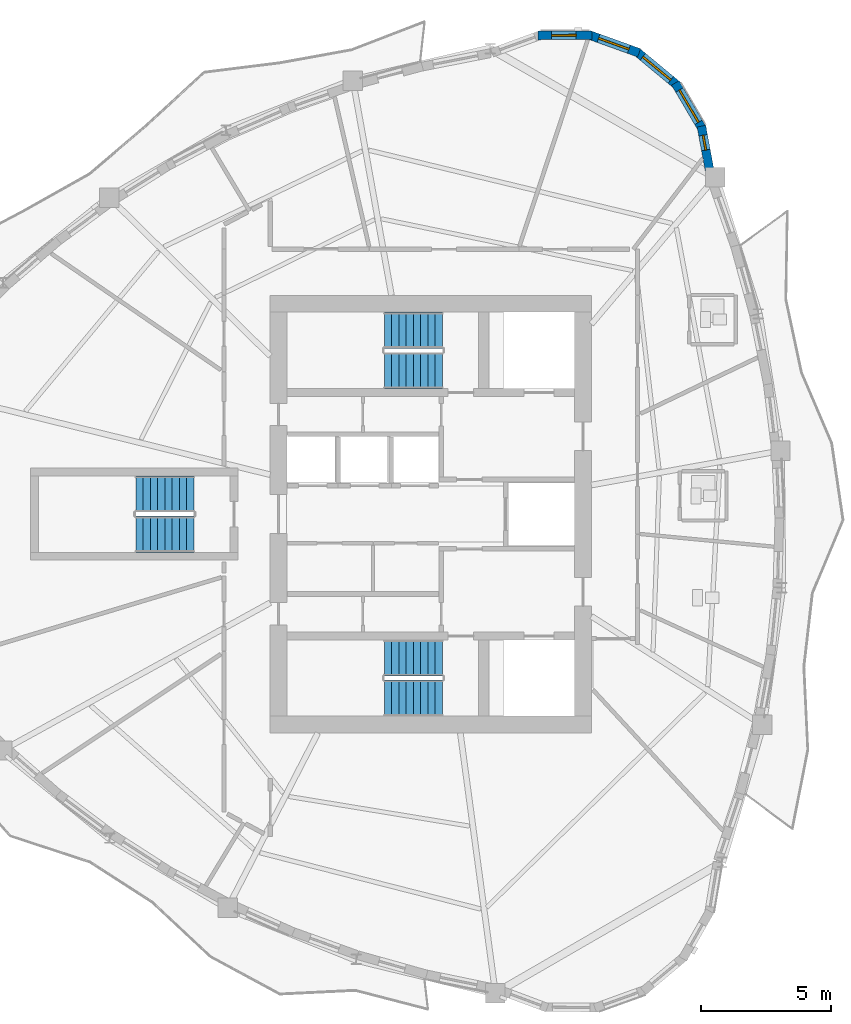
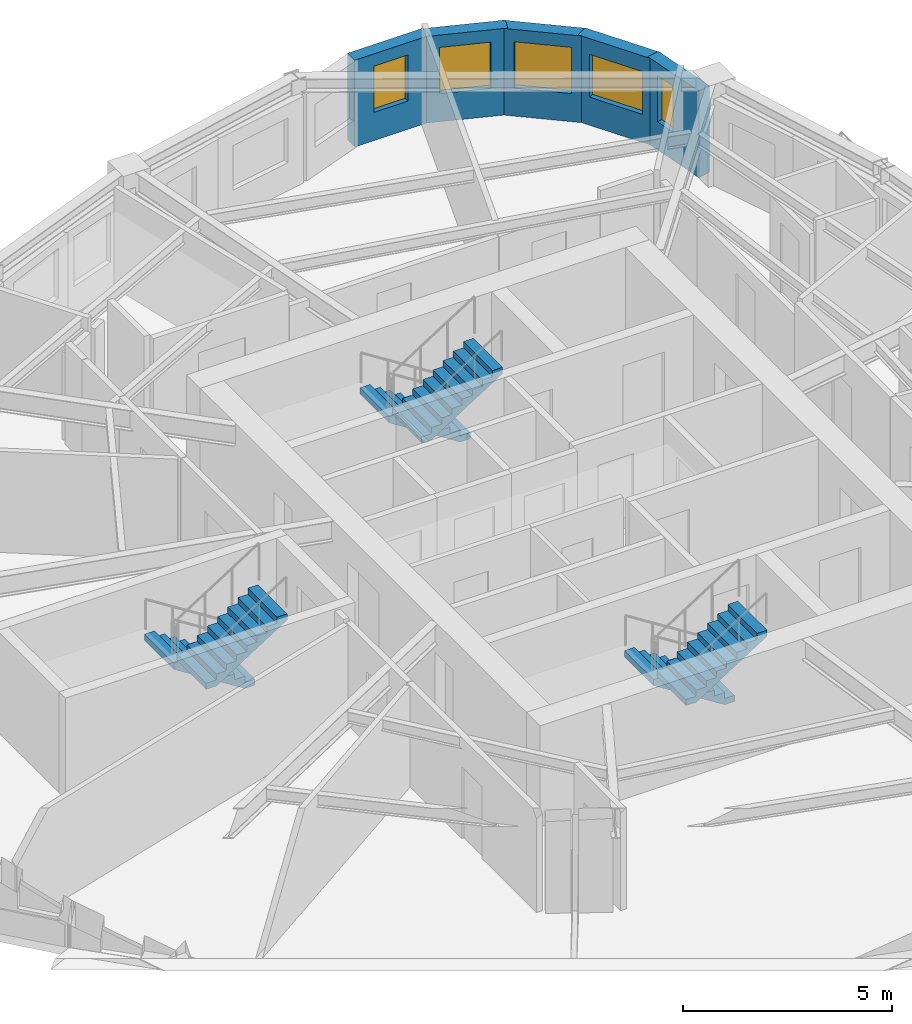
# One storey, part 8 of 12: 6 stair flights, 5 walls, 5 windows, 5 openings, 3 elements without a shape of their own.
"""IFC4 building model written with IfcOpenShell, lengths in metres."""

from ifc_helpers import new_model, si_unit, direction, frame, frame_2d, origin, place, context, subcontext, project, spatial, polyline, rectangle, outline, extrude, source, transform, mapped, material, layer, layer_set, type_object, element, fill, aggregate, save


model = new_model("IFC4")

# Units and contexts
model_context = context("Model", 3, precision=1e-05, world=origin(), true_north=direction((0.0, 1.0)))
body_context = subcontext(model_context, "Body", "Model", "MODEL_VIEW")
ifc_project = project(units=[si_unit("LENGTHUNIT", "METRE"), si_unit("AREAUNIT", "SQUARE_METRE"), si_unit("VOLUMEUNIT", "CUBIC_METRE"), si_unit("PLANEANGLEUNIT", "RADIAN"), si_unit("MASSUNIT", "GRAM", prefix="KILO")], contexts=[model_context])

# Site, building, storey
site_placement = place(None, origin())
site = spatial("IfcSite", under=ifc_project, at=site_placement, CompositionType="ELEMENT")
building_placement = place(site_placement, origin())
building = spatial("IfcBuilding", under=site, at=building_placement, Name="Qafzar Sky-Pleat Residences", CompositionType="ELEMENT")
storey_placement = place(building_placement, frame((0.0, 0.0, 145.800048828125)))
storey = spatial("IfcBuildingStorey", under=building, at=storey_placement, Name="L43", CompositionType="ELEMENT", Elevation=145.800048828125)

# Wall, opening, window
ifc_material_1 = material(Name="Precast concrete C40/50 with honed Riyadh limestone", Category="concrete")
ifc_layer = layer(ifc_material_1, 0.340087890625)
ifc_layer_set = layer_set([ifc_layer], Name="Precast concrete C40/50 with honed Riyadh limestone")
wall_type = type_object("IfcWallType", Name="WALL-EXT-340", PredefinedType="SOLIDWALL", material=ifc_layer_set)
wall_1_placement = place(storey_placement, frame((41.142822265625, 39.12353515625, 0.0), z_axis=(0.0, 0.0, 1.0), x_axis=(-0.182320770307, 0.983239104549, 0.0)))
wall_1 = element("IfcWall", 1, at=wall_1_placement, inside=storey, type_object=wall_type, Name="L43 Limestone Facade Wall 33", PredefinedType="SOLIDWALL", context=body_context, shape_type="SweptSolid", body=[
    extrude(rectangle(XDim=1.88818359375, YDim=0.340087890625, at=frame_2d((0.944091796875, 0.0))), origin(), (0.0, 0.0, 1.0), 2.530029296875),
])
opening_1_placement = place(wall_1_placement, frame((0.949462890625, 0.0, 0.820068359375)))
opening_1 = element("IfcOpeningElement", 2, at=opening_1_placement, cuts=wall_1, Name="Opening WN-17", PredefinedType="OPENING", context=body_context, shape_type="SweptSolid", body=[
    extrude(rectangle(XDim=0.580078125, YDim=1.35009765625, at=frame_2d((0.2900390625, 0.675048828125))), frame((0.0, 0.18017578125, 0.0), z_axis=(0.0, -1.0, 0.0), x_axis=(1.0, 0.0, 0.0)), (0.0, 0.0, 1.0), 0.360107421875),
])
ifc_material_2 = material(Name="Solar-control low-E glass in bronze aluminium frame", Category="glass")
window_type_1 = type_object("IfcWindowType", Name="WIN-17", PartitioningType="SINGLE_PANEL", PredefinedType="WINDOW", material=ifc_material_2)
shared_shape_1 = source(origin(), body_context, "Body", "SweptSolid", [
    extrude(rectangle(XDim=0.580078125, YDim=1.35009765625, at=frame_2d((0.2900390625, 0.675048828125))), frame((0.0, 0.030029296875, 0.0), z_axis=(0.0, -1.0, 0.0), x_axis=(1.0, 0.0, 0.0)), (0.0, 0.0, 1.0), 0.06005859375),
])
window_1_placement = place(opening_1_placement, origin())
window_1 = element("IfcWindow", 3, at=window_1_placement, inside=storey, type_object=window_type_1, Name="L43 Punched Facade Window 33-2", OverallHeight=1.35009765625, OverallWidth=0.580078125, PartitioningType="SINGLE_PANEL", PredefinedType="WINDOW", context=body_context, shape_type="MappedRepresentation", body=[
    mapped(shared_shape_1, transform((0.0, 0.0, 0.0), x_axis=(1.0, 0.0, 0.0), y_axis=(0.0, 1.0, 0.0), z_axis=(0.0, 0.0, 1.0), scale=1.0)),
])
fill(opening_1, window_1)

wall_2_placement = place(storey_placement, frame((40.84521484375, 40.85498046875, 0.0), z_axis=(0.0, 0.0, 1.0), x_axis=(-0.506225227923, 0.862401309493, 0.0)))
wall_2 = element("IfcWall", 4, at=wall_2_placement, inside=storey, type_object=wall_type, Name="L43 Limestone Facade Wall 34", PredefinedType="SOLIDWALL", context=body_context, shape_type="SweptSolid", body=[
    extrude(rectangle(XDim=2.0810546875, YDim=0.340087890625, at=frame_2d((1.04052734375, 0.0))), origin(), (0.0, 0.0, 1.0), 2.530029296875),
])
opening_2_placement = place(wall_2_placement, frame((0.315673828125, 0.0, 0.820068359375)))
opening_2 = element("IfcOpeningElement", 5, at=opening_2_placement, cuts=wall_2, Name="Opening WN-15", PredefinedType="OPENING", context=body_context, shape_type="SweptSolid", body=[
    extrude(rectangle(XDim=1.449951171875, YDim=1.25, at=frame_2d((0.72509765625, 0.625))), frame((0.0, 0.18017578125, 0.0), z_axis=(0.0, -1.0, 0.0), x_axis=(1.0, 0.0, 0.0)), (0.0, 0.0, 1.0), 0.360107421875),
])
window_type_2 = type_object("IfcWindowType", Name="WIN-15", PartitioningType="SINGLE_PANEL", PredefinedType="WINDOW", material=ifc_material_2)
shared_shape_2 = source(origin(), body_context, "Body", "SweptSolid", [
    extrude(rectangle(XDim=1.449951171875, YDim=1.25, at=frame_2d((0.72509765625, 0.625))), frame((0.0, 0.030029296875, 0.0), z_axis=(0.0, -1.0, 0.0), x_axis=(1.0, 0.0, 0.0)), (0.0, 0.0, 1.0), 0.06005859375),
])
window_2_placement = place(opening_2_placement, origin())
window_2 = element("IfcWindow", 6, at=window_2_placement, inside=storey, type_object=window_type_2, Name="L43 Punched Facade Window 34", OverallHeight=1.25, OverallWidth=1.449951171875, PartitioningType="SINGLE_PANEL", PredefinedType="WINDOW", context=body_context, shape_type="MappedRepresentation", body=[
    mapped(shared_shape_2, transform((0.0, 0.0, 0.0), x_axis=(1.0, 0.0, 0.0), y_axis=(0.0, 1.0, 0.0), z_axis=(0.0, 0.0, 1.0), scale=1.0)),
])
fill(opening_2, window_2)

wall_3_placement = place(storey_placement, frame((39.87841796875, 42.5478515625, 0.0), z_axis=(0.0, 0.0, 1.0), x_axis=(-0.769690471148, 0.63841724493, 0.0)))
wall_3 = element("IfcWall", 7, at=wall_3_placement, inside=storey, type_object=wall_type, Name="L43 Limestone Facade Wall 35", PredefinedType="SOLIDWALL", context=body_context, shape_type="SweptSolid", body=[
    extrude(rectangle(XDim=2.0810546875, YDim=0.340087890625, at=frame_2d((1.04052734375, 0.0))), origin(), (0.0, 0.0, 1.0), 2.530029296875),
])
opening_3_placement = place(wall_3_placement, frame((0.340576171875, 0.0, 0.820068359375)))
opening_3 = element("IfcOpeningElement", 8, at=opening_3_placement, cuts=wall_3, Name="Opening WN-10", PredefinedType="OPENING", context=body_context, shape_type="SweptSolid", body=[
    extrude(rectangle(XDim=1.39990234375, YDim=1.35009765625, at=frame_2d((0.699951171875, 0.675048828125))), frame((0.0, 0.18017578125, 0.0), z_axis=(0.0, -1.0, 0.0), x_axis=(1.0, 0.0, 0.0)), (0.0, 0.0, 1.0), 0.360107421875),
])
window_type_3 = type_object("IfcWindowType", Name="WIN-10", PartitioningType="SINGLE_PANEL", PredefinedType="WINDOW", material=ifc_material_2)
shared_shape_3 = source(origin(), body_context, "Body", "SweptSolid", [
    extrude(rectangle(XDim=1.39990234375, YDim=1.35009765625, at=frame_2d((0.699951171875, 0.675048828125))), frame((0.0, 0.030029296875, 0.0), z_axis=(0.0, -1.0, 0.0), x_axis=(1.0, 0.0, 0.0)), (0.0, 0.0, 1.0), 0.06005859375),
])
window_3_placement = place(opening_3_placement, origin())
window_3 = element("IfcWindow", 9, at=window_3_placement, inside=storey, type_object=window_type_3, Name="L43 Punched Facade Window 35", OverallHeight=1.35009765625, OverallWidth=1.39990234375, PartitioningType="SINGLE_PANEL", PredefinedType="WINDOW", context=body_context, shape_type="MappedRepresentation", body=[
    mapped(shared_shape_3, transform((0.0, 0.0, 0.0), x_axis=(1.0, 0.0, 0.0), y_axis=(0.0, 1.0, 0.0), z_axis=(0.0, 0.0, 1.0), scale=1.0)),
])
fill(opening_3, window_3)

wall_4_placement = place(storey_placement, frame((38.392578125, 43.810302734375, 0.0), z_axis=(0.0, 0.0, 1.0), x_axis=(-0.941033874027, 0.338312352617, 0.0)))
wall_4 = element("IfcWall", 10, at=wall_4_placement, inside=storey, type_object=wall_type, Name="L43 Limestone Facade Wall 36", PredefinedType="SOLIDWALL", context=body_context, shape_type="SweptSolid", body=[
    extrude(rectangle(XDim=2.081298828125, YDim=0.340087890625, at=frame_2d((1.04052734375, 0.0))), origin(), (0.0, 0.0, 1.0), 2.530029296875),
])
opening_4_placement = place(wall_4_placement, frame((0.41552734375, 0.0, 0.820068359375)))
opening_4 = element("IfcOpeningElement", 11, at=opening_4_placement, cuts=wall_4, Name="Opening WN-11", PredefinedType="OPENING", context=body_context, shape_type="SweptSolid", body=[
    extrude(rectangle(XDim=1.25, YDim=1.35009765625, at=frame_2d((0.625, 0.675048828125))), frame((0.0, 0.18017578125, 0.0), z_axis=(0.0, -1.0, 0.0), x_axis=(1.0, 0.0, 0.0)), (0.0, 0.0, 1.0), 0.360107421875),
])
window_type_4 = type_object("IfcWindowType", Name="WIN-11", PartitioningType="SINGLE_PANEL", PredefinedType="WINDOW", material=ifc_material_2)
shared_shape_4 = source(origin(), body_context, "Body", "SweptSolid", [
    extrude(rectangle(XDim=1.25, YDim=1.35009765625, at=frame_2d((0.625, 0.675048828125))), frame((0.0, 0.030029296875, 0.0), z_axis=(0.0, -1.0, 0.0), x_axis=(1.0, 0.0, 0.0)), (0.0, 0.0, 1.0), 0.06005859375),
])
window_4_placement = place(opening_4_placement, origin())
window_4 = element("IfcWindow", 12, at=window_4_placement, inside=storey, type_object=window_type_4, Name="L43 Punched Facade Window 36", OverallHeight=1.35009765625, OverallWidth=1.25, PartitioningType="SINGLE_PANEL", PredefinedType="WINDOW", context=body_context, shape_type="MappedRepresentation", body=[
    mapped(shared_shape_4, transform((0.0, 0.0, 0.0), x_axis=(1.0, 0.0, 0.0), y_axis=(0.0, 1.0, 0.0), z_axis=(0.0, 0.0, 1.0), scale=1.0)),
])
fill(opening_4, window_4)

wall_5_placement = place(storey_placement, frame((36.56591796875, 44.491455078125, 0.0), z_axis=(0.0, 0.0, 1.0), x_axis=(-0.999996965984, -0.002463335635, 0.0)))
wall_5 = element("IfcWall", 13, at=wall_5_placement, inside=storey, type_object=wall_type, Name="L43 Limestone Facade Wall 37", PredefinedType="SOLIDWALL", context=body_context, shape_type="SweptSolid", body=[
    extrude(rectangle(XDim=2.081298828125, YDim=0.340087890625, at=frame_2d((1.04052734375, 0.0))), origin(), (0.0, 0.0, 1.0), 2.530029296875),
])
opening_5_placement = place(wall_5_placement, frame((0.601806640625, 0.0, 0.820068359375)))
opening_5 = element("IfcOpeningElement", 14, at=opening_5_placement, cuts=wall_5, Name="Opening WN-12", PredefinedType="OPENING", context=body_context, shape_type="SweptSolid", body=[
    extrude(rectangle(XDim=0.949951171875, YDim=1.35009765625, at=frame_2d((0.47509765625, 0.675048828125))), frame((0.0, 0.18017578125, 0.0), z_axis=(0.0, -1.0, 0.0), x_axis=(1.0, 0.0, 0.0)), (0.0, 0.0, 1.0), 0.360107421875),
])
window_type_5 = type_object("IfcWindowType", Name="WIN-12", PartitioningType="SINGLE_PANEL", PredefinedType="WINDOW", material=ifc_material_2)
shared_shape_5 = source(origin(), body_context, "Body", "SweptSolid", [
    extrude(rectangle(XDim=0.949951171875, YDim=1.35009765625, at=frame_2d((0.47509765625, 0.675048828125))), frame((0.0, 0.030029296875, 0.0), z_axis=(0.0, -1.0, 0.0), x_axis=(1.0, 0.0, 0.0)), (0.0, 0.0, 1.0), 0.06005859375),
])
window_5_placement = place(opening_5_placement, origin())
window_5 = element("IfcWindow", 15, at=window_5_placement, inside=storey, type_object=window_type_5, Name="L43 Punched Facade Window 37", OverallHeight=1.35009765625, OverallWidth=0.949951171875, PartitioningType="SINGLE_PANEL", PredefinedType="WINDOW", context=body_context, shape_type="MappedRepresentation", body=[
    mapped(shared_shape_5, transform((0.0, 0.0, 0.0), x_axis=(1.0, 0.0, 0.0), y_axis=(0.0, 1.0, 0.0), z_axis=(0.0, 0.0, 1.0), scale=1.0)),
])
fill(opening_5, window_5)

# Stair, stair flights
ifc_material_3 = material(Name="Concrete C40/50", Category="concrete")
stair_type = type_object("IfcStairType", Name="STAIR-H320", PredefinedType="HALF_TURN_STAIR", material=ifc_material_3)
stair_1_placement = place(storey_placement, origin())
stair_1 = element("IfcStair", 16, at=stair_1_placement, inside=storey, type_object=stair_type, Name="L43 Protected Exit Stair ST1", PredefinedType="HALF_TURN_STAIR")
stair_flight_type = type_object("IfcStairFlightType", Name="FLIGHT-H320", PredefinedType="STRAIGHT", material=ifc_material_3)
shared_shape_6 = source(origin(), body_context, "Body", "SweptSolid", [
    extrude(outline(polyline([(0.0, 0.0), (0.0, 0.177734375), (0.280029296875, 0.177734375), (0.280029296875, 0.35546875), (0.56005859375, 0.35546875), (0.56005859375, 0.533447265625), (0.840087890625, 0.533447265625), (0.840087890625, 0.711181640625), (1.1201171875, 0.711181640625), (1.1201171875, 0.888916015625), (1.39990234375, 0.888916015625), (1.39990234375, 1.066650390625), (1.679931640625, 1.066650390625), (1.679931640625, 1.244384765625), (1.9599609375, 1.244384765625), (1.9599609375, 1.422119140625), (2.239990234375, 1.422119140625), (2.239990234375, 1.60009765625), (2.239990234375, 1.24462890625), (0.27978515625, 0.0), (0.0, 0.0)])), frame((0.0, 0.699951171875, 0.0), z_axis=(0.0, -1.0, 0.0), x_axis=(1.0, 0.0, 0.0)), (0.0, 0.0, 1.0), 1.39990234375),
])
stair_flight_1_placement = place(storey_placement, frame((30.800048828125, 20.449951171875, 0.0), z_axis=(0.0, 0.0, 1.0), x_axis=(-1.0, 0.0, 0.0)))
stair_flight_1 = element("IfcStairFlight", 17, at=stair_flight_1_placement, type_object=stair_flight_type, Name="ST1 flight 1", NumberOfRisers=9, NumberOfTreads=8, PredefinedType="STRAIGHT", RiserHeight=0.177777778, TreadLength=0.28, context=body_context, shape_type="MappedRepresentation", body=[
    mapped(shared_shape_6, transform((0.0, 0.0, 0.0), x_axis=(1.0, 0.0, 0.0), y_axis=(0.0, 1.0, 0.0), z_axis=(0.0, 0.0, 1.0), scale=1.0)),
])
stair_flight_2_placement = place(storey_placement, frame((28.56005859375, 18.89990234375, 1.599853515625), z_axis=(0.0, 0.0, 1.0), x_axis=(1.0, 0.0, 0.0)))
stair_flight_2 = element("IfcStairFlight", 18, at=stair_flight_2_placement, type_object=stair_flight_type, Name="ST1 flight 2", NumberOfRisers=9, NumberOfTreads=8, PredefinedType="STRAIGHT", RiserHeight=0.177777778, TreadLength=0.28, context=body_context, shape_type="MappedRepresentation", body=[
    mapped(shared_shape_6, transform((0.0, 0.0, 0.0), x_axis=(1.0, 0.0, 0.0), y_axis=(0.0, 1.0, 0.0), z_axis=(0.0, 0.0, 1.0), scale=1.0)),
])
aggregate(stair_1, [stair_flight_1, stair_flight_2])

stair_2_placement = place(storey_placement, origin())
stair_2 = element("IfcStair", 19, at=stair_2_placement, inside=storey, type_object=stair_type, Name="L43 Protected Exit Stair ST2", PredefinedType="HALF_TURN_STAIR")
stair_flight_3_placement = place(storey_placement, frame((30.800048828125, 33.10009765625, 0.0), z_axis=(0.0, 0.0, 1.0), x_axis=(-1.0, 0.0, 0.0)))
stair_flight_3 = element("IfcStairFlight", 20, at=stair_flight_3_placement, type_object=stair_flight_type, Name="ST2 flight 1", NumberOfRisers=9, NumberOfTreads=8, PredefinedType="STRAIGHT", RiserHeight=0.177777778, TreadLength=0.28, context=body_context, shape_type="MappedRepresentation", body=[
    mapped(shared_shape_6, transform((0.0, 0.0, 0.0), x_axis=(1.0, 0.0, 0.0), y_axis=(0.0, 1.0, 0.0), z_axis=(0.0, 0.0, 1.0), scale=1.0)),
])
stair_flight_4_placement = place(storey_placement, frame((28.56005859375, 31.550048828125, 1.599853515625), z_axis=(0.0, 0.0, 1.0), x_axis=(1.0, 0.0, 0.0)))
stair_flight_4 = element("IfcStairFlight", 21, at=stair_flight_4_placement, type_object=stair_flight_type, Name="ST2 flight 2", NumberOfRisers=9, NumberOfTreads=8, PredefinedType="STRAIGHT", RiserHeight=0.177777778, TreadLength=0.28, context=body_context, shape_type="MappedRepresentation", body=[
    mapped(shared_shape_6, transform((0.0, 0.0, 0.0), x_axis=(1.0, 0.0, 0.0), y_axis=(0.0, 1.0, 0.0), z_axis=(0.0, 0.0, 1.0), scale=1.0)),
])
aggregate(stair_2, [stair_flight_3, stair_flight_4])

stair_3_placement = place(storey_placement, origin())
stair_3 = element("IfcStair", 22, at=stair_3_placement, inside=storey, type_object=stair_type, Name="L43 Protected Exit Stair ST3", PredefinedType="HALF_TURN_STAIR")
stair_flight_5_placement = place(storey_placement, frame((21.199951171875, 26.77490234375, 0.0), z_axis=(0.0, 0.0, 1.0), x_axis=(-1.0, 0.0, 0.0)))
stair_flight_5 = element("IfcStairFlight", 23, at=stair_flight_5_placement, type_object=stair_flight_type, Name="ST3 flight 1", NumberOfRisers=9, NumberOfTreads=8, PredefinedType="STRAIGHT", RiserHeight=0.177777778, TreadLength=0.28, context=body_context, shape_type="MappedRepresentation", body=[
    mapped(shared_shape_6, transform((0.0, 0.0, 0.0), x_axis=(1.0, 0.0, 0.0), y_axis=(0.0, 1.0, 0.0), z_axis=(0.0, 0.0, 1.0), scale=1.0)),
])
stair_flight_6_placement = place(storey_placement, frame((18.9599609375, 25.22509765625, 1.599853515625), z_axis=(0.0, 0.0, 1.0), x_axis=(1.0, 0.0, 0.0)))
stair_flight_6 = element("IfcStairFlight", 24, at=stair_flight_6_placement, type_object=stair_flight_type, Name="ST3 flight 2", NumberOfRisers=9, NumberOfTreads=8, PredefinedType="STRAIGHT", RiserHeight=0.177777778, TreadLength=0.28, context=body_context, shape_type="MappedRepresentation", body=[
    mapped(shared_shape_6, transform((0.0, 0.0, 0.0), x_axis=(1.0, 0.0, 0.0), y_axis=(0.0, 1.0, 0.0), z_axis=(0.0, 0.0, 1.0), scale=1.0)),
])
aggregate(stair_3, [stair_flight_5, stair_flight_6])

save(model, "model.ifc")
